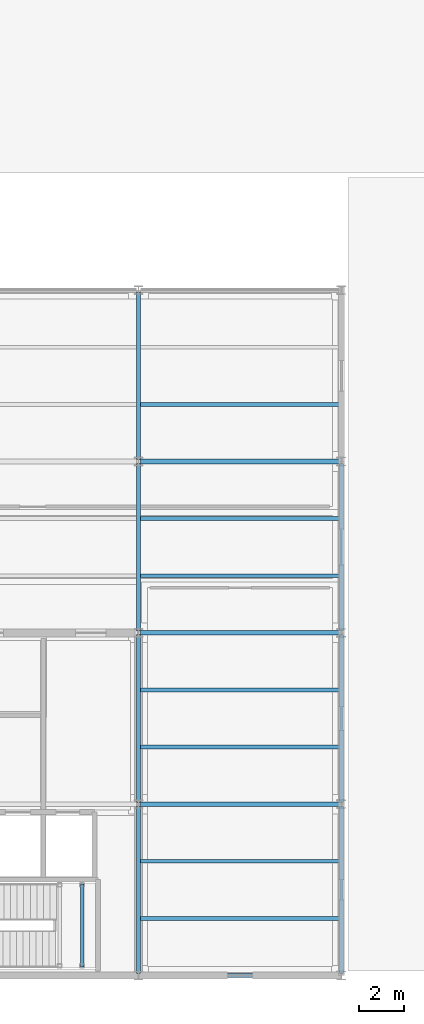
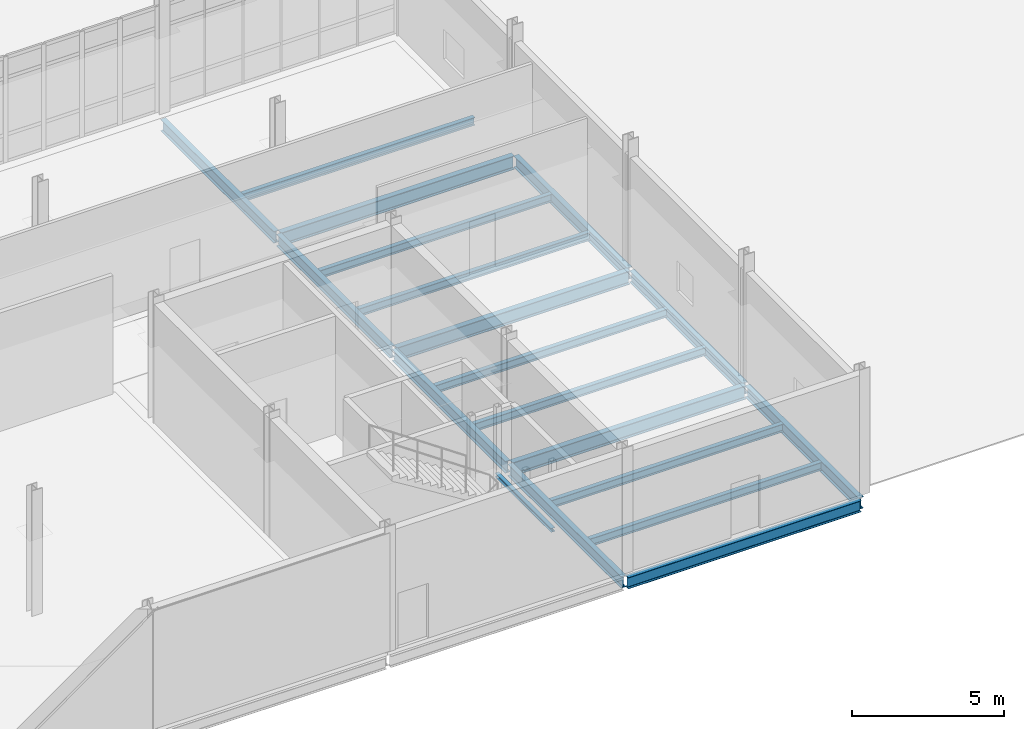
# One storey, part 59 of 161: 19 beams.
"""IFC4 building model written with IfcOpenShell, lengths in metres."""

from ifc_helpers import new_model, si_unit, direction, frame, origin, origin_2d, place, context, subcontext, project, spatial, i_section, extrude, material, material_profile, profile_set, type_object, element, save


model = new_model("IFC4")

# Units and contexts
model_context = context("Model", 3, precision=1e-05, world=origin(), true_north=direction((0.0, 1.0)))
body_context = subcontext(model_context, "Body", "Model", "MODEL_VIEW")
ifc_project = project(units=[si_unit("LENGTHUNIT", "METRE"), si_unit("AREAUNIT", "SQUARE_METRE"), si_unit("VOLUMEUNIT", "CUBIC_METRE"), si_unit("PLANEANGLEUNIT", "RADIAN"), si_unit("MASSUNIT", "GRAM", prefix="KILO")], contexts=[model_context])

# Site, building, storey
site_placement = place(None, origin())
site = spatial("IfcSite", under=ifc_project, at=site_placement, CompositionType="ELEMENT")
building_placement = place(site_placement, origin())
building = spatial("IfcBuilding", under=site, at=building_placement, Name="Caisbarro Railhouse Central Library", CompositionType="ELEMENT")
storey_placement = place(building_placement, origin())
storey = spatial("IfcBuildingStorey", under=building, at=storey_placement, Name="L00", CompositionType="ELEMENT", Elevation=0.0)

# Beams
ifc_material = material(Name="Steel ASTM A572 Grade 50", Category="steel")
ifc_material_profile_1 = material_profile(ifc_material, i_section(OverallWidth=0.2119140625, OverallDepth=0.5439453125, WebThickness=0.01318359375, FlangeThickness=0.021240234375, FilletRadius=0.02001953125, at=origin_2d()), Name="W530X123.0")
ifc_profile_set_1 = profile_set([ifc_material_profile_1], Name="Steel ASTM A572 Grade 50")
beam_type_1 = type_object("IfcBeamType", Name="BM-G05", PredefinedType="BEAM", material=ifc_profile_set_1)
for number, where, z_axis, x_axis, name in (
    (1, (99.080078125, 7.60009765625, -0.552001953125), (1.0, 0.0, 0.0), (0.0, 1.0, 0.0), "G05 beam L00 #161"),
    (2, (99.080078125, 15.199951171875, -0.552001953125), (1.0, 0.0, 0.0), (0.0, 1.0, 0.0), "G05 beam L00 #167"),
    (3, (99.080078125, 22.800048828125, -0.552001953125), (1.0, 0.0, 0.0), (0.0, 1.0, 0.0), "G05 beam L00 #173"),
):
    element("IfcBeam", number, at=place(storey_placement, frame(where, z_axis=z_axis, x_axis=x_axis)), inside=storey, type_object=beam_type_1, Name=name, PredefinedType="BEAM", context=body_context, shape_type="SweptSolid", body=[
        extrude(i_section(OverallWidth=0.2119140625, OverallDepth=0.5439453125, WebThickness=0.01318359375, FlangeThickness=0.021240234375, FilletRadius=0.02001953125, at=origin_2d()), origin(), (0.0, 0.0, 1.0), 8.83984375),
    ])
ifc_material_profile_2 = material_profile(ifc_material, i_section(OverallWidth=0.194091796875, OverallDepth=0.468994140625, WebThickness=0.0126953125, FlangeThickness=0.0205078125, FilletRadius=0.01806640625, at=origin_2d()), Name="W460X106.0")
ifc_profile_set_2 = profile_set([ifc_material_profile_2], Name="Steel ASTM A572 Grade 50")
beam_type_2 = type_object("IfcBeamType", Name="BM-G07", PredefinedType="BEAM", material=ifc_profile_set_2)
beam_1_placement = place(storey_placement, frame((99.0, 0.080078125, -0.514404296875), z_axis=(0.0, 1.0, 0.0), x_axis=(-1.0, 0.0, 0.0)))
element("IfcBeam", 4, at=beam_1_placement, inside=storey, type_object=beam_type_2, Name="G07 beam L00 #197", PredefinedType="BEAM", context=body_context, shape_type="SweptSolid", body=[
    extrude(i_section(OverallWidth=0.194091796875, OverallDepth=0.468994140625, WebThickness=0.0126953125, FlangeThickness=0.0205078125, FilletRadius=0.01806640625, at=origin_2d()), origin(), (0.0, 0.0, 1.0), 7.43994140625),
])
beam_2_placement = place(storey_placement, frame((99.0, 7.679931640625, -0.514404296875), z_axis=(0.0, 1.0, 0.0), x_axis=(-1.0, 0.0, 0.0)))
element("IfcBeam", 5, at=beam_2_placement, inside=storey, type_object=beam_type_2, Name="G07 beam L00 #198", PredefinedType="BEAM", context=body_context, shape_type="SweptSolid", body=[
    extrude(i_section(OverallWidth=0.194091796875, OverallDepth=0.468994140625, WebThickness=0.0126953125, FlangeThickness=0.0205078125, FilletRadius=0.01806640625, at=origin_2d()), origin(), (0.0, 0.0, 1.0), 7.440185546875),
])
beam_3_placement = place(storey_placement, frame((99.0, 15.280029296875, -0.514404296875), z_axis=(0.0, 1.0, 0.0), x_axis=(-1.0, 0.0, 0.0)))
element("IfcBeam", 6, at=beam_3_placement, inside=storey, type_object=beam_type_2, Name="G07 beam L00 #199", PredefinedType="BEAM", context=body_context, shape_type="SweptSolid", body=[
    extrude(i_section(OverallWidth=0.194091796875, OverallDepth=0.468994140625, WebThickness=0.0126953125, FlangeThickness=0.0205078125, FilletRadius=0.01806640625, at=origin_2d()), origin(), (0.0, 0.0, 1.0), 7.43994140625),
])
beam_4_placement = place(storey_placement, frame((99.0, 22.8798828125, -0.514404296875), z_axis=(0.0, 1.0, 0.0), x_axis=(-1.0, 0.0, 0.0)))
element("IfcBeam", 7, at=beam_4_placement, inside=storey, type_object=beam_type_2, Name="G07 beam L00 #200", PredefinedType="BEAM", context=body_context, shape_type="SweptSolid", body=[
    extrude(i_section(OverallWidth=0.194091796875, OverallDepth=0.468994140625, WebThickness=0.0126953125, FlangeThickness=0.0205078125, FilletRadius=0.01806640625, at=origin_2d()), origin(), (0.0, 0.0, 1.0), 7.440185546875),
])
beam_5_placement = place(storey_placement, frame((108.0, 0.080078125, -0.514404296875), z_axis=(0.0, 1.0, 0.0), x_axis=(-1.0, 0.0, 0.0)))
element("IfcBeam", 8, at=beam_5_placement, inside=storey, type_object=beam_type_2, Name="G07 beam L00 #201", PredefinedType="BEAM", context=body_context, shape_type="SweptSolid", body=[
    extrude(i_section(OverallWidth=0.194091796875, OverallDepth=0.468994140625, WebThickness=0.0126953125, FlangeThickness=0.0205078125, FilletRadius=0.01806640625, at=origin_2d()), origin(), (0.0, 0.0, 1.0), 7.43994140625),
])
beam_6_placement = place(storey_placement, frame((108.0, 7.679931640625, -0.514404296875), z_axis=(0.0, 1.0, 0.0), x_axis=(-1.0, 0.0, 0.0)))
element("IfcBeam", 9, at=beam_6_placement, inside=storey, type_object=beam_type_2, Name="G07 beam L00 #202", PredefinedType="BEAM", context=body_context, shape_type="SweptSolid", body=[
    extrude(i_section(OverallWidth=0.194091796875, OverallDepth=0.468994140625, WebThickness=0.0126953125, FlangeThickness=0.0205078125, FilletRadius=0.01806640625, at=origin_2d()), origin(), (0.0, 0.0, 1.0), 7.440185546875),
])
beam_7_placement = place(storey_placement, frame((108.0, 15.280029296875, -0.514404296875), z_axis=(0.0, 1.0, 0.0), x_axis=(-1.0, 0.0, 0.0)))
element("IfcBeam", 10, at=beam_7_placement, inside=storey, type_object=beam_type_2, Name="G07 beam L00 #203", PredefinedType="BEAM", context=body_context, shape_type="SweptSolid", body=[
    extrude(i_section(OverallWidth=0.194091796875, OverallDepth=0.468994140625, WebThickness=0.0126953125, FlangeThickness=0.0205078125, FilletRadius=0.01806640625, at=origin_2d()), origin(), (0.0, 0.0, 1.0), 7.43994140625),
])
ifc_material_profile_3 = material_profile(ifc_material, i_section(OverallWidth=0.1669921875, OverallDepth=0.31689453125, WebThickness=0.007568359375, FlangeThickness=0.01318359375, FilletRadius=0.011962890625, at=origin_2d()), Name="W310X52.0")
ifc_profile_set_3 = profile_set([ifc_material_profile_3], Name="Steel ASTM A572 Grade 50")
beam_type_3 = type_object("IfcBeamType", Name="BM-J02", PredefinedType="JOIST", material=ifc_profile_set_3)
for number, where, z_axis, x_axis, name in (
    (11, (99.096923828125, 2.533203125, -0.4384765625), (1.0, 0.0, 0.0), (0.0, 1.0, 0.0), "J02 beam L00 #237"),
    (12, (99.096923828125, 5.066650390625, -0.4384765625), (1.0, 0.0, 0.0), (0.0, 1.0, 0.0), "J02 beam L00 #238"),
    (13, (99.096923828125, 10.13330078125, -0.4384765625), (1.0, 0.0, 0.0), (0.0, 1.0, 0.0), "J02 beam L00 #239"),
    (14, (99.096923828125, 12.666748046875, -0.4384765625), (1.0, 0.0, 0.0), (0.0, 1.0, 0.0), "J02 beam L00 #240"),
    (15, (99.096923828125, 17.7333984375, -0.4384765625), (1.0, 0.0, 0.0), (0.0, 1.0, 0.0), "J02 beam L00 #241"),
    (16, (99.096923828125, 20.2666015625, -0.4384765625), (1.0, 0.0, 0.0), (0.0, 1.0, 0.0), "J02 beam L00 #242"),
    (17, (99.096923828125, 25.333251953125, -0.4384765625), (1.0, 0.0, 0.0), (0.0, 1.0, 0.0), "J02 beam L00 #243"),
):
    element("IfcBeam", number, at=place(storey_placement, frame(where, z_axis=z_axis, x_axis=x_axis)), inside=storey, type_object=beam_type_3, Name=name, PredefinedType="JOIST", context=body_context, shape_type="SweptSolid", body=[
        extrude(i_section(OverallWidth=0.1669921875, OverallDepth=0.31689453125, WebThickness=0.007568359375, FlangeThickness=0.01318359375, FilletRadius=0.011962890625, at=origin_2d()), origin(), (0.0, 0.0, 1.0), 8.80615234375),
    ])
ifc_material_profile_4 = material_profile(ifc_material, i_section(OverallWidth=0.152099609375, OverallDepth=0.152099609375, WebThickness=0.005859375, FlangeThickness=0.006591796875, FilletRadius=0.008056640625, at=origin_2d()), Name="W150X22.5")
ifc_profile_set_4 = profile_set([ifc_material_profile_4], Name="Steel ASTM A572 Grade 50")
beam_type_4 = type_object("IfcBeamType", Name="BM-SL00", PredefinedType="BEAM", material=ifc_profile_set_4)
beam_8_placement = place(storey_placement, frame((96.5, 0.3798828125, 2.25390625), z_axis=(0.0, 1.0, 0.0), x_axis=(-1.0, 0.0, 0.0)))
element("IfcBeam", 18, at=beam_8_placement, inside=storey, type_object=beam_type_4, Name="SL00 Stair Landing Support Beam K2 L00 E", PredefinedType="BEAM", context=body_context, shape_type="SweptSolid", body=[
    extrude(i_section(OverallWidth=0.152099609375, OverallDepth=0.152099609375, WebThickness=0.005859375, FlangeThickness=0.006591796875, FilletRadius=0.008056640625, at=origin_2d()), origin(), (0.0, 0.0, 1.0), 3.690185546875),
])
ifc_material_profile_5 = material_profile(ifc_material, i_section(OverallWidth=0.18994140625, OverallDepth=0.45703125, WebThickness=0.009033203125, FlangeThickness=0.014404296875, FilletRadius=0.01806640625, at=origin_2d()), Name="W460X74.0")
ifc_profile_set_5 = profile_set([ifc_material_profile_5], Name="Steel ASTM A572 Grade 50")
beam_type_5 = type_object("IfcBeamType", Name="BM-SP01", PredefinedType="SPANDREL", material=ifc_profile_set_5)
beam_9_placement = place(storey_placement, frame((99.080078125, 0.0, -0.508544921875), z_axis=(1.0, 0.0, 0.0), x_axis=(0.0, 1.0, 0.0)))
element("IfcBeam", 19, at=beam_9_placement, inside=storey, type_object=beam_type_5, Name="SP01 beam L00 #155", PredefinedType="SPANDREL", context=body_context, shape_type="SweptSolid", body=[
    extrude(i_section(OverallWidth=0.18994140625, OverallDepth=0.45703125, WebThickness=0.009033203125, FlangeThickness=0.014404296875, FilletRadius=0.01806640625, at=origin_2d()), origin(), (0.0, 0.0, 1.0), 8.83984375),
])

save(model, "model.ifc")
